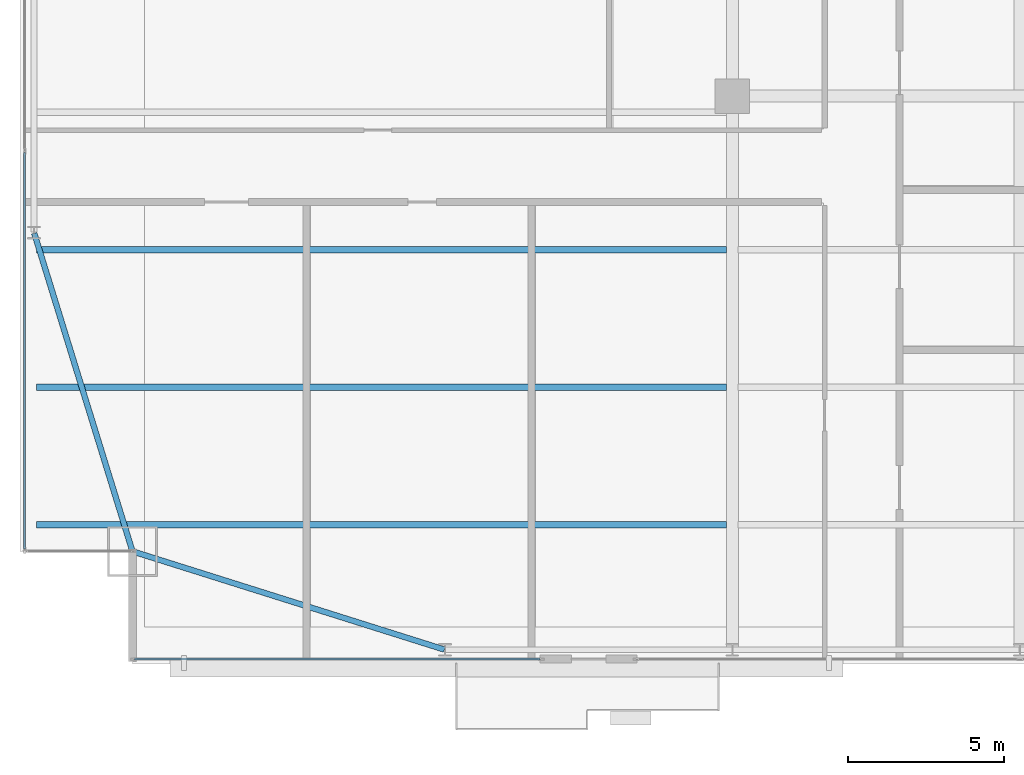
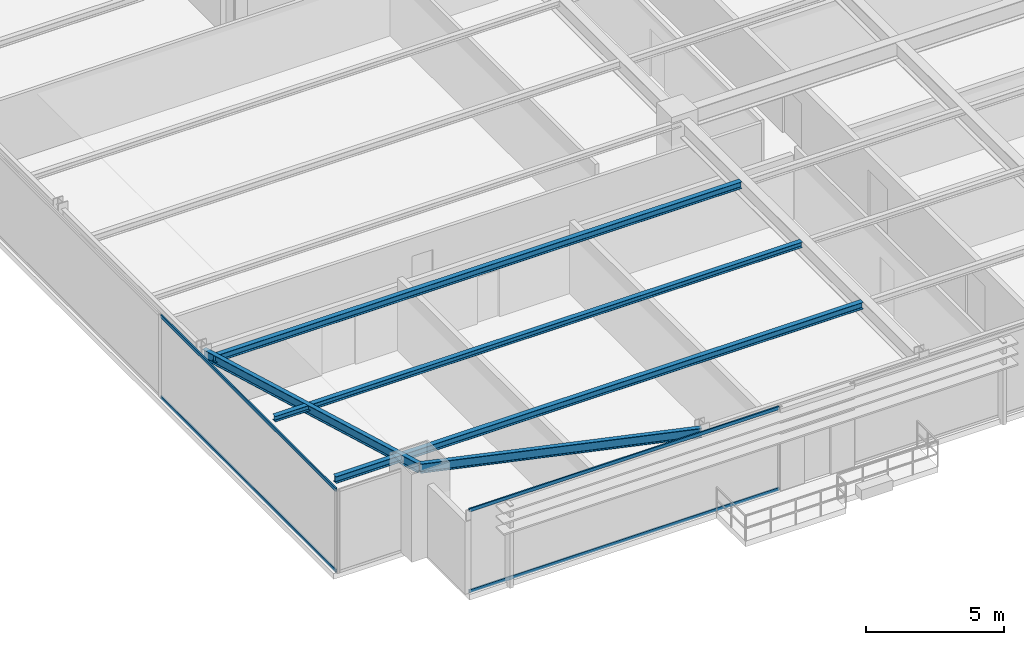
# One storey, part 4 of 29: 5 beams, 4 members, 2 elements without a shape of their own.
"""IFC4 building model written with IfcOpenShell, lengths in metres."""

from ifc_helpers import new_model, si_unit, direction, frame, origin, origin_2d, place, context, subcontext, project, spatial, hollow_rectangle, i_section, extrude, source, transform, mapped, material, layer, layer_set, material_profile, profile_set, type_object, type_shapes, element, aggregate, save


model = new_model("IFC4")

# Units and contexts
model_context = context("Model", 3, precision=1e-05, world=origin(), true_north=direction((0.0, 1.0)))
body_context = subcontext(model_context, "Body", "Model", "MODEL_VIEW")
ifc_project = project(units=[si_unit("LENGTHUNIT", "METRE"), si_unit("AREAUNIT", "SQUARE_METRE"), si_unit("VOLUMEUNIT", "CUBIC_METRE"), si_unit("PLANEANGLEUNIT", "RADIAN"), si_unit("MASSUNIT", "GRAM", prefix="KILO")], contexts=[model_context])

# Site, building, storey
site_placement = place(None, origin())
site = spatial("IfcSite", under=ifc_project, at=site_placement, CompositionType="ELEMENT")
building_placement = place(site_placement, origin())
building = spatial("IfcBuilding", under=site, at=building_placement, Name="Varnel Quay Broadcast Tower", CompositionType="ELEMENT")
storey_placement = place(building_placement, frame((0.0, 0.0, 74.39990234375)))
storey = spatial("IfcBuildingStorey", under=building, at=storey_placement, Name="L17", CompositionType="ELEMENT", Elevation=74.39990234375)

# Beams
ifc_material_1 = material(Name="Structural Steel CSA G40.21 350W", Category="steel")
ifc_material_profile_1 = material_profile(ifc_material_1, i_section(OverallWidth=0.180908203125, OverallDepth=0.4169921875, WebThickness=0.010986328125, FlangeThickness=0.018310546875, FilletRadius=0.011962890625, at=origin_2d()), Name="W410X85")
ifc_profile_set_1 = profile_set([ifc_material_profile_1], Name="Structural Steel CSA G40.21 350W")
beam_type_1 = type_object("IfcBeamType", Name="Beam_W410X85", PredefinedType="SPANDREL", material=ifc_profile_set_1)
shared_shape_1 = source(origin(), body_context, "Body", "SweptSolid", [
    extrude(i_section(OverallWidth=0.180908203125, OverallDepth=0.4169921875, WebThickness=0.010986328125, FlangeThickness=0.018310546875, FilletRadius=0.011962890625, at=origin_2d()), origin(), (0.0, 0.0, 1.0), 10.444091796875),
])
beam_1_placement = place(storey_placement, frame((5.619140625, 4.7939453125, 3.441650390625), z_axis=(0.953798277271, -0.300447743003, 0.0), x_axis=(0.300447743003, 0.953798277271, 0.0)))
element("IfcBeam", 1, at=beam_1_placement, inside=storey, type_object=beam_type_1, Name="L17 South Spandrel MC-SW-TC-S1", PredefinedType="SPANDREL", context=body_context, shape_type="MappedRepresentation", body=[
    mapped(shared_shape_1, transform((0.0, 0.0, 0.0), x_axis=(1.0, 0.0, 0.0), y_axis=(0.0, 1.0, 0.0), z_axis=(0.0, 0.0, 1.0), scale=1.0)),
])
shared_shape_2 = source(origin(), body_context, "Body", "SweptSolid", [
    extrude(i_section(OverallWidth=0.180908203125, OverallDepth=0.4169921875, WebThickness=0.010986328125, FlangeThickness=0.018310546875, FilletRadius=0.011962890625, at=origin_2d()), origin(), (0.0, 0.0, 1.0), 10.635498046875),
])
type_shapes(beam_type_1, [shared_shape_1, shared_shape_2])
beam_2_placement = place(storey_placement, frame((5.593994140625, 4.819091796875, 3.441650390625), z_axis=(-0.295069676324, 0.955475738108, 0.0), x_axis=(-0.955475738108, -0.295069676324, 0.0)))
element("IfcBeam", 2, at=beam_2_placement, inside=storey, type_object=beam_type_1, Name="L17 West Spandrel MC-SW-TC-W1", PredefinedType="SPANDREL", context=body_context, shape_type="MappedRepresentation", body=[
    mapped(shared_shape_2, transform((0.0, 0.0, 0.0), x_axis=(1.0, 0.0, 0.0), y_axis=(0.0, 1.0, 0.0), z_axis=(0.0, 0.0, 1.0), scale=1.0)),
])
ifc_material_profile_2 = material_profile(ifc_material_1, i_section(OverallWidth=0.202880859375, OverallDepth=0.302978515625, WebThickness=0.007568359375, FlangeThickness=0.01318359375, FilletRadius=0.011962890625, at=origin_2d()), Name="W310X60")
ifc_profile_set_2 = profile_set([ifc_material_profile_2], Name="Structural Steel CSA G40.21 350W")
beam_type_2 = type_object("IfcBeamType", Name="Beam_W310X60", PredefinedType="JOIST", material=ifc_profile_set_2)
shared_shape_3 = source(origin(), body_context, "Body", "SweptSolid", [
    extrude(i_section(OverallWidth=0.202880859375, OverallDepth=0.302978515625, WebThickness=0.007568359375, FlangeThickness=0.01318359375, FilletRadius=0.011962890625, at=origin_2d()), origin(), (0.0, 0.0, 1.0), 22.0791015625),
])
type_shapes(beam_type_2, [shared_shape_3])
for number, where, z_axis, x_axis, name in (
    (3, (2.535400390625, 5.64990234375, 3.49853515625), (1.0, 0.0, 0.0), (0.0, 1.0, 0.0), "L17 West Floor Joist 1"),
    (4, (2.535400390625, 14.449951171875, 3.49853515625), (1.0, 0.0, 0.0), (0.0, 1.0, 0.0), "L17 West Floor Joist 3"),
):
    element("IfcBeam", number, at=place(storey_placement, frame(where, z_axis=z_axis, x_axis=x_axis)), inside=storey, type_object=beam_type_2, Name=name, PredefinedType="JOIST", context=body_context, shape_type="MappedRepresentation", body=[
        mapped(shared_shape_3, transform((0.0, 0.0, 0.0), x_axis=(1.0, 0.0, 0.0), y_axis=(0.0, 1.0, 0.0), z_axis=(0.0, 0.0, 1.0), scale=1.0)),
    ])
ifc_material_profile_3 = material_profile(ifc_material_1, i_section(OverallWidth=0.201904296875, OverallDepth=0.2470703125, WebThickness=0.00732421875, FlangeThickness=0.010986328125, FilletRadius=0.010986328125, at=origin_2d()), Name="W250X49")
ifc_profile_set_3 = profile_set([ifc_material_profile_3], Name="Structural Steel CSA G40.21 350W")
beam_type_3 = type_object("IfcBeamType", Name="Beam_W250X49", PredefinedType="JOIST", material=ifc_profile_set_3)
shared_shape_4 = source(origin(), body_context, "Body", "SweptSolid", [
    extrude(i_section(OverallWidth=0.201904296875, OverallDepth=0.2470703125, WebThickness=0.00732421875, FlangeThickness=0.010986328125, FilletRadius=0.010986328125, at=origin_2d()), origin(), (0.0, 0.0, 1.0), 22.0791015625),
])
type_shapes(beam_type_3, [shared_shape_4])
beam_3_placement = place(storey_placement, frame((2.535400390625, 10.050048828125, 3.526611328125), z_axis=(1.0, 0.0, 0.0), x_axis=(0.0, 1.0, 0.0)))
element("IfcBeam", 5, at=beam_3_placement, inside=storey, type_object=beam_type_3, Name="L17 West Floor Joist 2", PredefinedType="JOIST", context=body_context, shape_type="MappedRepresentation", body=[
    mapped(shared_shape_4, transform((0.0, 0.0, 0.0), x_axis=(1.0, 0.0, 0.0), y_axis=(0.0, 1.0, 0.0), z_axis=(0.0, 0.0, 1.0), scale=1.0)),
])

# Curtain wall, members
ifc_material_2 = material(Name="Anodised Bronze Aluminium 6063-T6", Category="aluminium")
ifc_layer = layer(ifc_material_2, 0.18994140625, Name="Anodised Bronze Aluminium 6063-T6")
ifc_layer_set = layer_set([ifc_layer], Name="Anodised Bronze Aluminium 6063-T6")
curtain_wall_type = type_object("IfcCurtainWallType", Name="CW_LowerTower", PredefinedType="NOTDEFINED", material=ifc_layer_set)
curtain_wall_1_placement = place(storey_placement, origin())
curtain_wall_1 = element("IfcCurtainWall", 6, at=curtain_wall_1_placement, inside=storey, type_object=curtain_wall_type, Name="L17 South Unitised Curtain Wall 1", PredefinedType="NOTDEFINED")
ifc_material_profile_4 = material_profile(ifc_material_2, hollow_rectangle(XDim=0.06005859375, YDim=0.14501953125, WallThickness=0.00341796875, at=origin_2d()), Name="ALU60X145X3.5")
ifc_profile_set_4 = profile_set([ifc_material_profile_4], Name="Anodised Bronze Aluminium 6063-T6")
member_type = type_object("IfcMemberType", Name="Tran_CWS-02", PredefinedType="USERDEFINED", material=ifc_profile_set_4)
shared_shape_5 = source(origin(), body_context, "Body", "SweptSolid", [
    extrude(hollow_rectangle(XDim=0.06005859375, YDim=0.14501953125, WallThickness=0.00341796875, at=origin_2d()), origin(), (0.0, 0.0, 1.0), 12.97998046875),
])
member_1_placement = place(storey_placement, frame((5.669921875, 1.35009765625, 0.030029296875), z_axis=(1.0, 0.0, 0.0), x_axis=(0.0, 1.0, 0.0)))
member_1 = element("IfcMember", 7, at=member_1_placement, type_object=member_type, Name="CWS-02 transom 1.1", ObjectType="TRANSOM", PredefinedType="USERDEFINED", context=body_context, shape_type="MappedRepresentation", body=[
    mapped(shared_shape_5, transform((0.0, 0.0, 0.0), x_axis=(1.0, 0.0, 0.0), y_axis=(0.0, 1.0, 0.0), z_axis=(0.0, 0.0, 1.0), scale=1.0)),
])
member_2_placement = place(storey_placement, frame((5.669921875, 1.35009765625, 3.6201171875), z_axis=(1.0, 0.0, 0.0), x_axis=(0.0, 1.0, 0.0)))
member_2 = element("IfcMember", 8, at=member_2_placement, type_object=member_type, Name="CWS-02 transom 1.2", ObjectType="TRANSOM", PredefinedType="USERDEFINED", context=body_context, shape_type="MappedRepresentation", body=[
    mapped(shared_shape_5, transform((0.0, 0.0, 0.0), x_axis=(1.0, 0.0, 0.0), y_axis=(0.0, 1.0, 0.0), z_axis=(0.0, 0.0, 1.0), scale=1.0)),
])
aggregate(curtain_wall_1, [member_1, member_2])

curtain_wall_2_placement = place(storey_placement, origin())
curtain_wall_2 = element("IfcCurtainWall", 9, at=curtain_wall_2_placement, inside=storey, type_object=curtain_wall_type, Name="L17 West Unitised Curtain Wall", PredefinedType="NOTDEFINED")
shared_shape_6 = source(origin(), body_context, "Body", "SweptSolid", [
    extrude(hollow_rectangle(XDim=0.06005859375, YDim=0.14501953125, WallThickness=0.00341796875, at=origin_2d()), origin(), (0.0, 0.0, 1.0), 12.69482421875),
])
type_shapes(member_type, [shared_shape_5, shared_shape_6])
member_3_placement = place(storey_placement, frame((2.14990234375, 4.8701171875, 0.030029296875), z_axis=(0.0, 1.0, 0.0), x_axis=(-1.0, 0.0, 0.0)))
member_3 = element("IfcMember", 10, at=member_3_placement, type_object=member_type, Name="CWS-02 transom 1.1", ObjectType="TRANSOM", PredefinedType="USERDEFINED", context=body_context, shape_type="MappedRepresentation", body=[
    mapped(shared_shape_6, transform((0.0, 0.0, 0.0), x_axis=(1.0, 0.0, 0.0), y_axis=(0.0, 1.0, 0.0), z_axis=(0.0, 0.0, 1.0), scale=1.0)),
])
member_4_placement = place(storey_placement, frame((2.14990234375, 4.8701171875, 3.6201171875), z_axis=(0.0, 1.0, 0.0), x_axis=(-1.0, 0.0, 0.0)))
member_4 = element("IfcMember", 11, at=member_4_placement, type_object=member_type, Name="CWS-02 transom 1.2", ObjectType="TRANSOM", PredefinedType="USERDEFINED", context=body_context, shape_type="MappedRepresentation", body=[
    mapped(shared_shape_6, transform((0.0, 0.0, 0.0), x_axis=(1.0, 0.0, 0.0), y_axis=(0.0, 1.0, 0.0), z_axis=(0.0, 0.0, 1.0), scale=1.0)),
])
aggregate(curtain_wall_2, [member_3, member_4])

save(model, "model.ifc")
